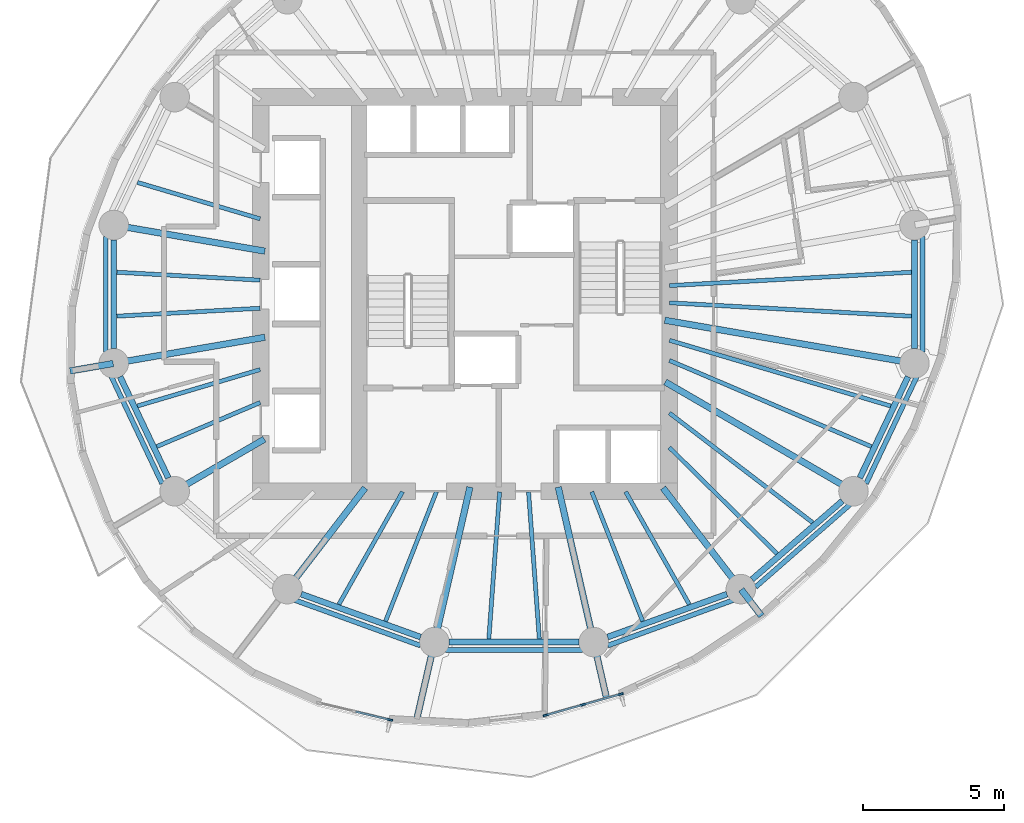
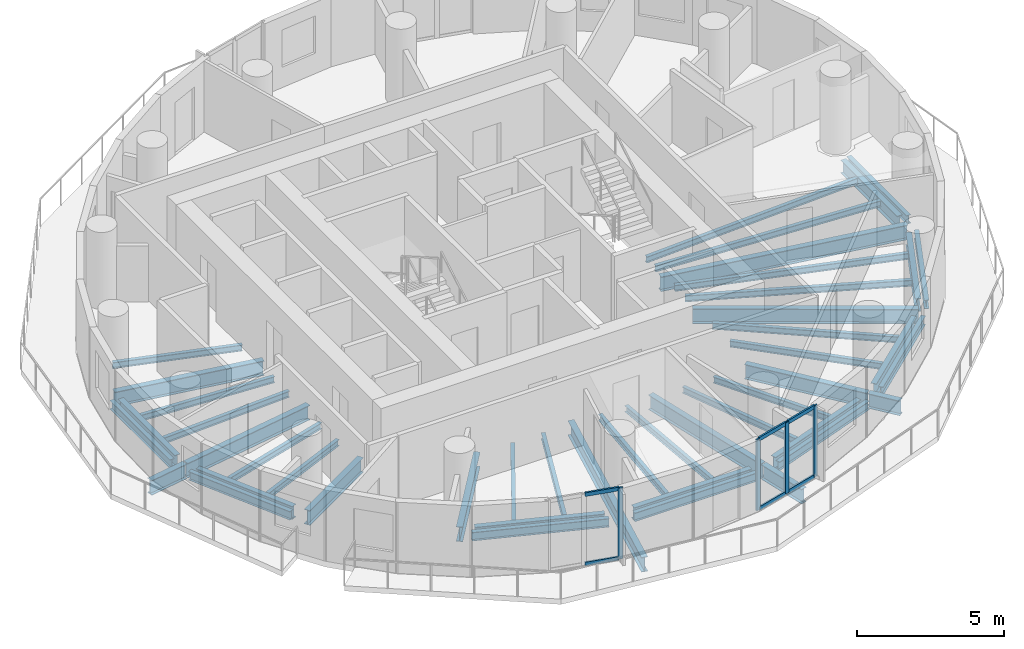
# One storey, part 2 of 13: 46 beams, 10 members, 2 elements without a shape of their own.
"""IFC4 building model written with IfcOpenShell, lengths in metres."""

from ifc_helpers import new_model, si_unit, direction, frame, origin, origin_2d, place, context, subcontext, project, spatial, rectangle, i_section, extrude, material, material_profile, profile_set, type_object, element, aggregate, save


model = new_model("IFC4")

# Units and contexts
model_context = context("Model", 3, precision=1e-05, world=origin(), true_north=direction((0.0, 1.0)))
body_context = subcontext(model_context, "Body", "Model", "MODEL_VIEW")
ifc_project = project(units=[si_unit("LENGTHUNIT", "METRE"), si_unit("AREAUNIT", "SQUARE_METRE"), si_unit("VOLUMEUNIT", "CUBIC_METRE"), si_unit("PLANEANGLEUNIT", "RADIAN"), si_unit("MASSUNIT", "GRAM", prefix="KILO")], contexts=[model_context])

# Site, building, storey
site_placement = place(None, origin())
site = spatial("IfcSite", under=ifc_project, at=site_placement, CompositionType="ELEMENT")
building_placement = place(site_placement, origin())
building = spatial("IfcBuilding", under=site, at=building_placement, Name="Veldorim Arch Residences", CompositionType="ELEMENT")
storey_placement = place(building_placement, frame((0.0, 0.0, 152.159912109375)))
storey = spatial("IfcBuildingStorey", under=building, at=storey_placement, Name="L45", CompositionType="ELEMENT", Elevation=152.159912109375)

# Beams
ifc_material_1 = material(Name="Steel S355", Category="steel")
ifc_material_profile_1 = material_profile(ifc_material_1, i_section(OverallWidth=0.2099609375, OverallDepth=0.53662109375, WebThickness=0.0107421875, FlangeThickness=0.017333984375, at=origin_2d()), Name="UB533x210x101")
ifc_profile_set_1 = profile_set([ifc_material_profile_1], Name="Steel S355")
beam_type_1 = type_object("IfcBeamType", Name="Structural Steel Beam UB533x210x101", PredefinedType="BEAM", material=ifc_profile_set_1)
beam_1_placement = place(storey_placement, frame((17.778564453125, 25.93310546875, -0.50830078125), z_axis=(0.0, -1.0, 0.0), x_axis=(1.0, 0.0, 0.0)))
element("IfcBeam", 1, at=beam_1_placement, inside=storey, type_object=beam_type_1, Name="L45 perimeter ring tie beam 08", PredefinedType="BEAM", context=body_context, shape_type="SweptSolid", body=[
    extrude(i_section(OverallWidth=0.2099609375, OverallDepth=0.53662109375, WebThickness=0.0107421875, FlangeThickness=0.017333984375, at=origin_2d()), origin(), (0.0, 0.0, 1.0), 3.8662109375),
])
beam_2_placement = place(storey_placement, frame((18.00439453125, 21.068115234375, -0.50830078125), z_axis=(0.43028577851, -0.902692721147, 0.0), x_axis=(0.902692721147, 0.43028577851, 0.0)))
element("IfcBeam", 2, at=beam_2_placement, inside=storey, type_object=beam_type_1, Name="L45 perimeter ring tie beam 09", PredefinedType="BEAM", context=body_context, shape_type="SweptSolid", body=[
    extrude(i_section(OverallWidth=0.2099609375, OverallDepth=0.53662109375, WebThickness=0.0107421875, FlangeThickness=0.017333984375, at=origin_2d()), origin(), (0.0, 0.0, 1.0), 3.98193359375),
])
beam_3_placement = place(storey_placement, frame((24.438232421875, 13.345703125, -0.50830078125), z_axis=(0.940899155006, -0.338686846673, 0.0), x_axis=(0.338686846673, 0.940899155006, 0.0)))
element("IfcBeam", 3, at=beam_3_placement, inside=storey, type_object=beam_type_1, Name="L45 perimeter ring tie beam 11", PredefinedType="BEAM", context=body_context, shape_type="SweptSolid", body=[
    extrude(i_section(OverallWidth=0.2099609375, OverallDepth=0.53662109375, WebThickness=0.0107421875, FlangeThickness=0.017333984375, at=origin_2d()), origin(), (0.0, 0.0, 1.0), 4.50537109375),
])
beam_4_placement = place(storey_placement, frame((29.6962890625, 11.64208984375, -0.50830078125), z_axis=(1.0, 0.0, 0.0), x_axis=(0.0, 1.0, 0.0)))
element("IfcBeam", 4, at=beam_4_placement, inside=storey, type_object=beam_type_1, Name="L45 perimeter ring tie beam 12", PredefinedType="BEAM", context=body_context, shape_type="SweptSolid", body=[
    extrude(i_section(OverallWidth=0.2099609375, OverallDepth=0.53662109375, WebThickness=0.0107421875, FlangeThickness=0.017333984375, at=origin_2d()), origin(), (0.0, 0.0, 1.0), 4.607421875),
])
beam_5_placement = place(storey_placement, frame((35.32275390625, 11.81982421875, -0.50830078125), z_axis=(0.940899155006, 0.338686846673, 0.0), x_axis=(-0.338686846673, 0.940899155006, 0.0)))
element("IfcBeam", 5, at=beam_5_placement, inside=storey, type_object=beam_type_1, Name="L45 perimeter ring tie beam 13", PredefinedType="BEAM", context=body_context, shape_type="SweptSolid", body=[
    extrude(i_section(OverallWidth=0.2099609375, OverallDepth=0.53662109375, WebThickness=0.0107421875, FlangeThickness=0.017333984375, at=origin_2d()), origin(), (0.0, 0.0, 1.0), 4.50537109375),
])
beam_6_placement = place(storey_placement, frame((40.4521484375, 13.867919921875, -0.50830078125), z_axis=(0.754810789581, 0.655942582802, 0.0), x_axis=(-0.655942582802, 0.754810789581, 0.0)))
element("IfcBeam", 6, at=beam_6_placement, inside=storey, type_object=beam_type_1, Name="L45 perimeter ring tie beam 14", PredefinedType="BEAM", context=body_context, shape_type="SweptSolid", body=[
    extrude(i_section(OverallWidth=0.2099609375, OverallDepth=0.53662109375, WebThickness=0.0107421875, FlangeThickness=0.017333984375, at=origin_2d()), origin(), (0.0, 0.0, 1.0), 4.249755859375),
])
beam_7_placement = place(storey_placement, frame((44.2822265625, 17.4736328125, -0.50830078125), z_axis=(0.43028577851, 0.902692721147, 0.0), x_axis=(-0.902692721147, 0.43028577851, 0.0)))
element("IfcBeam", 7, at=beam_7_placement, inside=storey, type_object=beam_type_1, Name="L45 perimeter ring tie beam 15", PredefinedType="BEAM", context=body_context, shape_type="SweptSolid", body=[
    extrude(i_section(OverallWidth=0.2099609375, OverallDepth=0.53662109375, WebThickness=0.0107421875, FlangeThickness=0.017333984375, at=origin_2d()), origin(), (0.0, 0.0, 1.0), 3.98193359375),
])
beam_8_placement = place(storey_placement, frame((46.221435546875, 22.06689453125, -0.50830078125), z_axis=(0.0, 1.0, 0.0), x_axis=(-1.0, 0.0, 0.0)))
element("IfcBeam", 8, at=beam_8_placement, inside=storey, type_object=beam_type_1, Name="L45 perimeter ring tie beam 16", PredefinedType="BEAM", context=body_context, shape_type="SweptSolid", body=[
    extrude(i_section(OverallWidth=0.2099609375, OverallDepth=0.53662109375, WebThickness=0.0107421875, FlangeThickness=0.017333984375, at=origin_2d()), origin(), (0.0, 0.0, 1.0), 3.8662109375),
])
ifc_material_2 = material(Name="Steel S355", Category="steel")
ifc_material_profile_2 = material_profile(ifc_material_2, i_section(OverallWidth=0.22900390625, OverallDepth=0.6123046875, WebThickness=0.011962890625, FlangeThickness=0.01953125, at=origin_2d()), Name="UB610x229x125")
ifc_profile_set_2 = profile_set([ifc_material_profile_2], Name="Steel S355")
beam_type_2 = type_object("IfcBeamType", Name="Structural Steel Beam UB610x229x125", PredefinedType="BEAM", material=ifc_profile_set_2)
for number, where, z_axis, x_axis, name in (
    (9, (23.147705078125, 25.530029296875, -0.5458984375), (-0.985390445301, 0.170310511449, 0.0), (-0.170310511449, -0.985390445301, 0.0), "L45 radial floor girder 08"),
    (10, (23.147705078125, 22.469970703125, -0.5458984375), (-0.985390445301, -0.170310511449, 0.0), (0.170310511449, -0.985390445301, 0.0), "L45 radial floor girder 09"),
):
    element("IfcBeam", number, at=place(storey_placement, frame(where, z_axis=z_axis, x_axis=x_axis)), inside=storey, type_object=beam_type_2, Name=name, PredefinedType="BEAM", context=body_context, shape_type="SweptSolid", body=[
        extrude(i_section(OverallWidth=0.22900390625, OverallDepth=0.6123046875, WebThickness=0.011962890625, FlangeThickness=0.01953125, at=origin_2d()), origin(), (0.0, 0.0, 1.0), 5.4287109375),
    ])
beam_9_placement = place(storey_placement, frame((17.7587890625, 21.53857421875, -0.5458984375), z_axis=(-0.985381977132, -0.170359499715, 0.0), x_axis=(0.170359499715, -0.985381977132, 0.0)))
element("IfcBeam", 11, at=beam_9_placement, inside=storey, type_object=beam_type_2, Name="L45 radial edge cantilever girder 09", PredefinedType="BEAM", context=body_context, shape_type="SweptSolid", body=[
    extrude(i_section(OverallWidth=0.22900390625, OverallDepth=0.6123046875, WebThickness=0.011962890625, FlangeThickness=0.01953125, at=origin_2d()), origin(), (0.0, 0.0, 1.0), 1.553466796875),
])
beam_10_placement = place(storey_placement, frame((23.129638671875, 18.849609375, -0.5458984375), z_axis=(-0.864794546612, -0.502125872815, 0.0), x_axis=(0.502125872815, -0.864794546612, 0.0)))
element("IfcBeam", 12, at=beam_10_placement, inside=storey, type_object=beam_type_2, Name="L45 radial floor girder 10", PredefinedType="BEAM", context=body_context, shape_type="SweptSolid", body=[
    extrude(i_section(OverallWidth=0.22900390625, OverallDepth=0.6123046875, WebThickness=0.011962890625, FlangeThickness=0.01953125, at=origin_2d()), origin(), (0.0, 0.0, 1.0), 3.6640625),
])
beam_11_placement = place(storey_placement, frame((26.708740234375, 17.118896484375, -0.5458984375), z_axis=(-0.609559199361, -0.792740551804, 0.0), x_axis=(0.792740551804, -0.609559199361, 0.0)))
element("IfcBeam", 13, at=beam_11_placement, inside=storey, type_object=beam_type_2, Name="L45 radial floor girder 11", PredefinedType="BEAM", context=body_context, shape_type="SweptSolid", body=[
    extrude(i_section(OverallWidth=0.22900390625, OverallDepth=0.6123046875, WebThickness=0.011962890625, FlangeThickness=0.01953125, at=origin_2d()), origin(), (0.0, 0.0, 1.0), 4.515380859375),
])
beam_12_placement = place(storey_placement, frame((30.43115234375, 17.146240234375, -0.5458984375), z_axis=(-0.223119342184, -0.974791136164, 0.0), x_axis=(0.974791136164, -0.223119342184, 0.0)))
element("IfcBeam", 14, at=beam_12_placement, inside=storey, type_object=beam_type_2, Name="L45 radial floor girder 12", PredefinedType="BEAM", context=body_context, shape_type="SweptSolid", body=[
    extrude(i_section(OverallWidth=0.22900390625, OverallDepth=0.6123046875, WebThickness=0.011962890625, FlangeThickness=0.01953125, at=origin_2d()), origin(), (0.0, 0.0, 1.0), 5.62646484375),
])
beam_13_placement = place(storey_placement, frame((29.166748046875, 11.62255859375, -0.5458984375), z_axis=(-0.223165160946, -0.974780647602, 0.0), x_axis=(0.974780647602, -0.223165160946, 0.0)))
element("IfcBeam", 15, at=beam_13_placement, inside=storey, type_object=beam_type_2, Name="L45 radial edge cantilever girder 12", PredefinedType="BEAM", context=body_context, shape_type="SweptSolid", body=[
    extrude(i_section(OverallWidth=0.22900390625, OverallDepth=0.6123046875, WebThickness=0.011962890625, FlangeThickness=0.01953125, at=origin_2d()), origin(), (0.0, 0.0, 1.0), 2.863037109375),
])
beam_14_placement = place(storey_placement, frame((33.56884765625, 17.146240234375, -0.5458984375), z_axis=(0.223119342184, -0.974791136164, 0.0), x_axis=(0.974791136164, 0.223119342184, 0.0)))
element("IfcBeam", 16, at=beam_14_placement, inside=storey, type_object=beam_type_2, Name="L45 radial floor girder 13", PredefinedType="BEAM", context=body_context, shape_type="SweptSolid", body=[
    extrude(i_section(OverallWidth=0.22900390625, OverallDepth=0.6123046875, WebThickness=0.011962890625, FlangeThickness=0.01953125, at=origin_2d()), origin(), (0.0, 0.0, 1.0), 5.62646484375),
])
beam_15_placement = place(storey_placement, frame((34.833251953125, 11.62255859375, -0.5458984375), z_axis=(0.223121447398, -0.9747906543, 0.0), x_axis=(0.9747906543, 0.223121447398, 0.0)))
element("IfcBeam", 17, at=beam_15_placement, inside=storey, type_object=beam_type_2, Name="L45 radial edge cantilever girder 13", PredefinedType="BEAM", context=body_context, shape_type="SweptSolid", body=[
    extrude(i_section(OverallWidth=0.22900390625, OverallDepth=0.6123046875, WebThickness=0.011962890625, FlangeThickness=0.01953125, at=origin_2d()), origin(), (0.0, 0.0, 1.0), 2.01123046875),
])
beam_16_placement = place(storey_placement, frame((37.291259765625, 17.118896484375, -0.5458984375), z_axis=(0.609559199361, -0.792740551804, 0.0), x_axis=(0.792740551804, 0.609559199361, 0.0)))
element("IfcBeam", 18, at=beam_16_placement, inside=storey, type_object=beam_type_2, Name="L45 radial floor girder 14", PredefinedType="BEAM", context=body_context, shape_type="SweptSolid", body=[
    extrude(i_section(OverallWidth=0.22900390625, OverallDepth=0.6123046875, WebThickness=0.011962890625, FlangeThickness=0.01953125, at=origin_2d()), origin(), (0.0, 0.0, 1.0), 4.515380859375),
])
beam_17_placement = place(storey_placement, frame((40.068115234375, 13.507568359375, -0.5458984375), z_axis=(0.609460700879, -0.792816280158, 0.0), x_axis=(0.792816280158, 0.609460700879, 0.0)))
element("IfcBeam", 19, at=beam_17_placement, inside=storey, type_object=beam_type_2, Name="L45 radial edge cantilever girder 14", PredefinedType="BEAM", context=body_context, shape_type="SweptSolid", body=[
    extrude(i_section(OverallWidth=0.22900390625, OverallDepth=0.6123046875, WebThickness=0.011962890625, FlangeThickness=0.01953125, at=origin_2d()), origin(), (0.0, 0.0, 1.0), 1.1796875),
])
beam_18_placement = place(storey_placement, frame((37.370361328125, 20.8818359375, -0.5458984375), z_axis=(0.864793381443, -0.502127879542, 0.0), x_axis=(0.502127879542, 0.864793381443, 0.0)))
element("IfcBeam", 20, at=beam_18_placement, inside=storey, type_object=beam_type_2, Name="L45 radial floor girder 15", PredefinedType="BEAM", context=body_context, shape_type="SweptSolid", body=[
    extrude(i_section(OverallWidth=0.22900390625, OverallDepth=0.6123046875, WebThickness=0.011962890625, FlangeThickness=0.01953125, at=origin_2d()), origin(), (0.0, 0.0, 1.0), 7.71142578125),
])
beam_19_placement = place(storey_placement, frame((37.352294921875, 23.074951171875, -0.5458984375), z_axis=(0.985389398766, -0.170316566427, 0.0), x_axis=(0.170316566427, 0.985389398766, 0.0)))
element("IfcBeam", 21, at=beam_19_placement, inside=storey, type_object=beam_type_2, Name="L45 radial floor girder 16", PredefinedType="BEAM", context=body_context, shape_type="SweptSolid", body=[
    extrude(i_section(OverallWidth=0.22900390625, OverallDepth=0.6123046875, WebThickness=0.011962890625, FlangeThickness=0.01953125, at=origin_2d()), origin(), (0.0, 0.0, 1.0), 8.98046875),
])
ifc_material_3 = material(Name="Steel S355", Category="steel")
ifc_material_profile_3 = material_profile(ifc_material_3, i_section(OverallWidth=0.146484375, OverallDepth=0.256103515625, WebThickness=0.00634765625, FlangeThickness=0.010986328125, at=origin_2d()), Name="UB254x146x37")
ifc_profile_set_3 = profile_set([ifc_material_profile_3], Name="Steel S355")
beam_type_3 = type_object("IfcBeamType", Name="Structural Steel Joist UB254x146x37", PredefinedType="JOIST", material=ifc_profile_set_3)
beam_20_placement = place(storey_placement, frame((22.980712890625, 26.677001953125, -0.367919921875), z_axis=(-0.95868163277, 0.284481154014, 0.0), x_axis=(-0.284481154014, -0.95868163277, 0.0)))
element("IfcBeam", 22, at=beam_20_placement, inside=storey, type_object=beam_type_3, Name="L45 secondary radial floor joist 07-2", PredefinedType="JOIST", context=body_context, shape_type="SweptSolid", body=[
    extrude(i_section(OverallWidth=0.146484375, OverallDepth=0.256103515625, WebThickness=0.00634765625, FlangeThickness=0.010986328125, at=origin_2d()), origin(), (0.0, 0.0, 1.0), 4.54931640625),
])
for number, where, z_axis, x_axis, name in (
    (23, (22.97998046875, 24.498779296875, -0.367919921875), (-0.998472994317, 0.055242009562, 0.0), (-0.055242009562, -0.998472994317, 0.0), "L45 secondary radial floor joist 08-1"),
    (24, (22.97998046875, 23.501220703125, -0.367919921875), (-0.998472994317, -0.055242009562, 0.0), (0.055242009562, -0.998472994317, 0.0), "L45 secondary radial floor joist 08-2"),
):
    element("IfcBeam", number, at=place(storey_placement, frame(where, z_axis=z_axis, x_axis=x_axis)), inside=storey, type_object=beam_type_3, Name=name, PredefinedType="JOIST", context=body_context, shape_type="SweptSolid", body=[
        extrude(i_section(OverallWidth=0.146484375, OverallDepth=0.256103515625, WebThickness=0.00634765625, FlangeThickness=0.010986328125, at=origin_2d()), origin(), (0.0, 0.0, 1.0), 5.10009765625),
    ])
beam_21_placement = place(storey_placement, frame((22.980712890625, 21.322998046875, -0.367919921875), z_axis=(-0.95868163277, -0.284481154014, 0.0), x_axis=(0.284481154014, -0.95868163277, 0.0)))
element("IfcBeam", 25, at=beam_21_placement, inside=storey, type_object=beam_type_3, Name="L45 secondary radial floor joist 09-1", PredefinedType="JOIST", context=body_context, shape_type="SweptSolid", body=[
    extrude(i_section(OverallWidth=0.146484375, OverallDepth=0.256103515625, WebThickness=0.00634765625, FlangeThickness=0.010986328125, at=origin_2d()), origin(), (0.0, 0.0, 1.0), 4.54931640625),
])
beam_22_placement = place(storey_placement, frame((22.981689453125, 20.15380859375, -0.367919921875), z_axis=(-0.919823469329, -0.392332493265, 0.0), x_axis=(0.392332493265, -0.919823469329, 0.0)))
element("IfcBeam", 26, at=beam_22_placement, inside=storey, type_object=beam_type_3, Name="L45 secondary radial floor joist 09-2", PredefinedType="JOIST", context=body_context, shape_type="SweptSolid", body=[
    extrude(i_section(OverallWidth=0.146484375, OverallDepth=0.256103515625, WebThickness=0.00634765625, FlangeThickness=0.010986328125, at=origin_2d()), origin(), (0.0, 0.0, 1.0), 3.993896484375),
])
beam_23_placement = place(storey_placement, frame((28.03662109375, 16.982666015625, -0.367919921875), z_axis=(-0.491815801586, -0.870699269157, 0.0), x_axis=(0.870699269157, -0.491815801586, 0.0)))
element("IfcBeam", 27, at=beam_23_placement, inside=storey, type_object=beam_type_3, Name="L45 secondary radial floor joist 11-1", PredefinedType="JOIST", context=body_context, shape_type="SweptSolid", body=[
    extrude(i_section(OverallWidth=0.146484375, OverallDepth=0.256103515625, WebThickness=0.00634765625, FlangeThickness=0.010986328125, at=origin_2d()), origin(), (0.0, 0.0, 1.0), 4.59814453125),
])
beam_24_placement = place(storey_placement, frame((29.2412109375, 16.9814453125, -0.367919921875), z_axis=(-0.365777738491, -0.930702232739, 0.0), x_axis=(0.930702232739, -0.365777738491, 0.0)))
element("IfcBeam", 28, at=beam_24_placement, inside=storey, type_object=beam_type_3, Name="L45 secondary radial floor joist 11-2", PredefinedType="JOIST", context=body_context, shape_type="SweptSolid", body=[
    extrude(i_section(OverallWidth=0.146484375, OverallDepth=0.256103515625, WebThickness=0.00634765625, FlangeThickness=0.010986328125, at=origin_2d()), origin(), (0.0, 0.0, 1.0), 4.9404296875),
])
for number, where, z_axis, x_axis, name in (
    (29, (31.48583984375, 16.97998046875, -0.367919921875), (-0.073060364166, -0.997327520521, 0.0), (0.997327520521, -0.073060364166, 0.0), "L45 secondary radial floor joist 12-1"),
    (30, (32.51416015625, 16.97998046875, -0.367919921875), (0.073060364166, -0.997327520521, 0.0), (0.997327520521, 0.073060364166, 0.0), "L45 secondary radial floor joist 12-2"),
):
    element("IfcBeam", number, at=place(storey_placement, frame(where, z_axis=z_axis, x_axis=x_axis)), inside=storey, type_object=beam_type_3, Name=name, PredefinedType="JOIST", context=body_context, shape_type="SweptSolid", body=[
        extrude(i_section(OverallWidth=0.146484375, OverallDepth=0.256103515625, WebThickness=0.00634765625, FlangeThickness=0.010986328125, at=origin_2d()), origin(), (0.0, 0.0, 1.0), 5.242919921875),
    ])
beam_25_placement = place(storey_placement, frame((34.7587890625, 16.9814453125, -0.367919921875), z_axis=(0.365777738491, -0.930702232739, 0.0), x_axis=(0.930702232739, 0.365777738491, 0.0)))
element("IfcBeam", 31, at=beam_25_placement, inside=storey, type_object=beam_type_3, Name="L45 secondary radial floor joist 13-1", PredefinedType="JOIST", context=body_context, shape_type="SweptSolid", body=[
    extrude(i_section(OverallWidth=0.146484375, OverallDepth=0.256103515625, WebThickness=0.00634765625, FlangeThickness=0.010986328125, at=origin_2d()), origin(), (0.0, 0.0, 1.0), 4.9404296875),
])
beam_26_placement = place(storey_placement, frame((35.96337890625, 16.982666015625, -0.367919921875), z_axis=(0.491815801586, -0.870699269157, 0.0), x_axis=(0.870699269157, 0.491815801586, 0.0)))
element("IfcBeam", 32, at=beam_26_placement, inside=storey, type_object=beam_type_3, Name="L45 secondary radial floor joist 13-2", PredefinedType="JOIST", context=body_context, shape_type="SweptSolid", body=[
    extrude(i_section(OverallWidth=0.146484375, OverallDepth=0.256103515625, WebThickness=0.00634765625, FlangeThickness=0.010986328125, at=origin_2d()), origin(), (0.0, 0.0, 1.0), 4.59814453125),
])
beam_27_placement = place(storey_placement, frame((37.51416015625, 18.556884765625, -0.367919921875), z_axis=(0.711703457158, -0.702480027523, 0.0), x_axis=(0.702480027523, 0.711703457158, 0.0)))
element("IfcBeam", 33, at=beam_27_placement, inside=storey, type_object=beam_type_3, Name="L45 secondary radial floor joist 14-1", PredefinedType="JOIST", context=body_context, shape_type="SweptSolid", body=[
    extrude(i_section(OverallWidth=0.146484375, OverallDepth=0.256103515625, WebThickness=0.00634765625, FlangeThickness=0.010986328125, at=origin_2d()), origin(), (0.0, 0.0, 1.0), 5.373291015625),
])
beam_28_placement = place(storey_placement, frame((37.515869140625, 19.780517578125, -0.367919921875), z_axis=(0.794267053144, -0.607568801281, 0.0), x_axis=(0.607568801281, 0.794267053144, 0.0)))
element("IfcBeam", 34, at=beam_28_placement, inside=storey, type_object=beam_type_3, Name="L45 secondary radial floor joist 14-2", PredefinedType="JOIST", context=body_context, shape_type="SweptSolid", body=[
    extrude(i_section(OverallWidth=0.146484375, OverallDepth=0.256103515625, WebThickness=0.00634765625, FlangeThickness=0.010986328125, at=origin_2d()), origin(), (0.0, 0.0, 1.0), 6.412841796875),
])
beam_29_placement = place(storey_placement, frame((37.518310546875, 21.646484375, -0.367919921875), z_axis=(0.919831795434, -0.39231297214, 0.0), x_axis=(0.39231297214, 0.919831795434, 0.0)))
element("IfcBeam", 35, at=beam_29_placement, inside=storey, type_object=beam_type_3, Name="L45 secondary radial floor joist 15-1", PredefinedType="JOIST", context=body_context, shape_type="SweptSolid", body=[
    extrude(i_section(OverallWidth=0.146484375, OverallDepth=0.256103515625, WebThickness=0.00634765625, FlangeThickness=0.010986328125, at=origin_2d()), origin(), (0.0, 0.0, 1.0), 7.798828125),
])
beam_30_placement = place(storey_placement, frame((37.519287109375, 22.36181640625, -0.367919921875), z_axis=(0.958674276305, -0.284505943614, 0.0), x_axis=(0.284505943614, 0.958674276305, 0.0)))
element("IfcBeam", 36, at=beam_30_placement, inside=storey, type_object=beam_type_3, Name="L45 secondary radial floor joist 15-2", PredefinedType="JOIST", context=body_context, shape_type="SweptSolid", body=[
    extrude(i_section(OverallWidth=0.146484375, OverallDepth=0.256103515625, WebThickness=0.00634765625, FlangeThickness=0.010986328125, at=origin_2d()), origin(), (0.0, 0.0, 1.0), 8.2001953125),
])
for number, where, z_axis, x_axis, name in (
    (37, (37.52001953125, 23.694580078125, -0.367919921875), (0.998474809964, -0.055209182821, 0.0), (0.055209182821, 0.998474809964, 0.0), "L45 secondary radial floor joist 16-1"),
    (38, (37.52001953125, 24.305419921875, -0.367919921875), (0.998474809964, 0.055209182821, 0.0), (-0.055209182821, 0.998474809964, 0.0), "L45 secondary radial floor joist 16-2"),
):
    element("IfcBeam", number, at=place(storey_placement, frame(where, z_axis=z_axis, x_axis=x_axis)), inside=storey, type_object=beam_type_3, Name=name, PredefinedType="JOIST", context=body_context, shape_type="SweptSolid", body=[
        extrude(i_section(OverallWidth=0.146484375, OverallDepth=0.256103515625, WebThickness=0.00634765625, FlangeThickness=0.010986328125, at=origin_2d()), origin(), (0.0, 0.0, 1.0), 8.60546875),
    ])
ifc_material_4 = material(Name="Steel S355", Category="steel")
ifc_material_profile_4 = material_profile(ifc_material_4, i_section(OverallWidth=0.172119140625, OverallDepth=0.35791015625, WebThickness=0.008056640625, FlangeThickness=0.012939453125, at=origin_2d()), Name="UB356x171x57")
ifc_profile_set_4 = profile_set([ifc_material_profile_4], Name="Steel S355")
beam_type_4 = type_object("IfcBeamType", Name="Structural Steel Spandrel UB356x171x57", PredefinedType="SPANDREL", material=ifc_profile_set_4)
beam_31_placement = place(storey_placement, frame((17.494140625, 26.04541015625, -0.43896484375), z_axis=(0.0, -1.0, 0.0), x_axis=(1.0, 0.0, 0.0)))
element("IfcBeam", 39, at=beam_31_placement, inside=storey, type_object=beam_type_4, Name="L45 perimeter chord spandrel beam 08", PredefinedType="SPANDREL", context=body_context, shape_type="SweptSolid", body=[
    extrude(i_section(OverallWidth=0.172119140625, OverallDepth=0.35791015625, WebThickness=0.008056640625, FlangeThickness=0.012939453125, at=origin_2d()), origin(), (0.0, 0.0, 1.0), 4.0908203125),
])
beam_32_placement = place(storey_placement, frame((17.692138671875, 21.0751953125, -0.43896484375), z_axis=(0.428579957662, -0.903503857153, 0.0), x_axis=(0.903503857153, 0.428579957662, 0.0)))
element("IfcBeam", 40, at=beam_32_placement, inside=storey, type_object=beam_type_4, Name="L45 perimeter chord spandrel beam 09", PredefinedType="SPANDREL", context=body_context, shape_type="SweptSolid", body=[
    extrude(i_section(OverallWidth=0.172119140625, OverallDepth=0.35791015625, WebThickness=0.008056640625, FlangeThickness=0.012939453125, at=origin_2d()), origin(), (0.0, 0.0, 1.0), 4.209228515625),
])
beam_33_placement = place(storey_placement, frame((24.20263671875, 13.13720703125, -0.43896484375), z_axis=(0.940212553113, -0.340588248429, 0.0), x_axis=(0.340588248429, 0.940212553113, 0.0)))
element("IfcBeam", 41, at=beam_33_placement, inside=storey, type_object=beam_type_4, Name="L45 perimeter chord spandrel beam 11", PredefinedType="SPANDREL", context=body_context, shape_type="SweptSolid", body=[
    extrude(i_section(OverallWidth=0.172119140625, OverallDepth=0.35791015625, WebThickness=0.008056640625, FlangeThickness=0.012939453125, at=origin_2d()), origin(), (0.0, 0.0, 1.0), 4.75390625),
])
beam_34_placement = place(storey_placement, frame((29.56884765625, 11.360595703125, -0.43896484375), z_axis=(1.0, 0.0, 0.0), x_axis=(0.0, 1.0, 0.0)))
element("IfcBeam", 42, at=beam_34_placement, inside=storey, type_object=beam_type_4, Name="L45 perimeter chord spandrel beam 12", PredefinedType="SPANDREL", context=body_context, shape_type="SweptSolid", body=[
    extrude(i_section(OverallWidth=0.172119140625, OverallDepth=0.35791015625, WebThickness=0.008056640625, FlangeThickness=0.012939453125, at=origin_2d()), origin(), (0.0, 0.0, 1.0), 4.8623046875),
])
beam_35_placement = place(storey_placement, frame((35.32763671875, 11.51806640625, -0.43896484375), z_axis=(0.940212553113, 0.340588248429, 0.0), x_axis=(-0.340588248429, 0.940212553113, 0.0)))
element("IfcBeam", 43, at=beam_35_placement, inside=storey, type_object=beam_type_4, Name="L45 perimeter chord spandrel beam 13", PredefinedType="SPANDREL", context=body_context, shape_type="SweptSolid", body=[
    extrude(i_section(OverallWidth=0.172119140625, OverallDepth=0.35791015625, WebThickness=0.008056640625, FlangeThickness=0.012939453125, at=origin_2d()), origin(), (0.0, 0.0, 1.0), 4.75390625),
])
beam_36_placement = place(storey_placement, frame((40.57958984375, 13.5986328125, -0.43896484375), z_axis=(0.753014748982, 0.658003638148, 0.0), x_axis=(-0.658003638148, 0.753014748982, 0.0)))
element("IfcBeam", 44, at=beam_36_placement, inside=storey, type_object=beam_type_4, Name="L45 perimeter chord spandrel beam 14", PredefinedType="SPANDREL", context=body_context, shape_type="SweptSolid", body=[
    extrude(i_section(OverallWidth=0.172119140625, OverallDepth=0.35791015625, WebThickness=0.008056640625, FlangeThickness=0.012939453125, at=origin_2d()), origin(), (0.0, 0.0, 1.0), 4.486572265625),
])
beam_37_placement = place(storey_placement, frame((44.50390625, 17.272216796875, -0.43896484375), z_axis=(0.428579957662, 0.903503857153, 0.0), x_axis=(-0.903503857153, 0.428579957662, 0.0)))
element("IfcBeam", 45, at=beam_37_placement, inside=storey, type_object=beam_type_4, Name="L45 perimeter chord spandrel beam 15", PredefinedType="SPANDREL", context=body_context, shape_type="SweptSolid", body=[
    extrude(i_section(OverallWidth=0.172119140625, OverallDepth=0.35791015625, WebThickness=0.008056640625, FlangeThickness=0.012939453125, at=origin_2d()), origin(), (0.0, 0.0, 1.0), 4.209228515625),
])
beam_38_placement = place(storey_placement, frame((46.505859375, 21.95458984375, -0.43896484375), z_axis=(0.0, 1.0, 0.0), x_axis=(-1.0, 0.0, 0.0)))
element("IfcBeam", 46, at=beam_38_placement, inside=storey, type_object=beam_type_4, Name="L45 perimeter chord spandrel beam 16", PredefinedType="SPANDREL", context=body_context, shape_type="SweptSolid", body=[
    extrude(i_section(OverallWidth=0.172119140625, OverallDepth=0.35791015625, WebThickness=0.008056640625, FlangeThickness=0.012939453125, at=origin_2d()), origin(), (0.0, 0.0, 1.0), 4.0908203125),
])

# Curtain wall, member
ifc_material_5 = material(Name="Aluminium", Category="aluminium")
curtain_wall_type = type_object("IfcCurtainWallType", Name="Zone 3 High-Wind Unitised Curtain Wall", PredefinedType="NOTDEFINED", material=ifc_material_5)
curtain_wall_1_placement = place(storey_placement, origin())
curtain_wall_1 = element("IfcCurtainWall", 47, at=curtain_wall_1_placement, inside=storey, type_object=curtain_wall_type, Name="L45 unitised curtain wall bay 22", PredefinedType="NOTDEFINED")
ifc_material_6 = material(Name="Aluminium", Category="aluminium")
ifc_material_profile_5 = material_profile(ifc_material_6, rectangle(XDim=0.070068359375, YDim=0.179931640625, at=origin_2d()), Name="ALU_MUL_70x180")
ifc_profile_set_5 = profile_set([ifc_material_profile_5], Name="Aluminium")
member_type_1 = type_object("IfcMemberType", Name="Zone 3 High-Wind Unitised Curtain Wall Mullion 70x180", PredefinedType="MULLION", material=ifc_profile_set_5)
member_1_placement = place(storey_placement, frame((27.5986328125, 8.880126953125, 0.0), z_axis=(0.0, 0.0, 1.0), x_axis=(-0.230956858022, -0.972963992002, 0.0)))
member_1 = element("IfcMember", 48, at=member_1_placement, type_object=member_type_1, Name="CW-Z3 mullion 1", PredefinedType="MULLION", context=body_context, shape_type="SweptSolid", body=[
    extrude(rectangle(XDim=0.070068359375, YDim=0.179931640625, at=origin_2d()), origin(), (0.0, 0.0, 1.0), 2.960205078125),
])

# Curtain wall, members
curtain_wall_2_placement = place(storey_placement, origin())
curtain_wall_2 = element("IfcCurtainWall", 49, at=curtain_wall_2_placement, inside=storey, type_object=curtain_wall_type, Name="L45 unitised curtain wall bay 25", PredefinedType="NOTDEFINED")
member_2_placement = place(storey_placement, frame((35.79150390625, 9.795166015625, 0.0), z_axis=(0.0, 0.0, 1.0), x_axis=(0.271100567037, -0.962551028545, 0.0)))
member_2 = element("IfcMember", 50, at=member_2_placement, type_object=member_type_1, Name="CW-Z3 mullion 1", PredefinedType="MULLION", context=body_context, shape_type="SweptSolid", body=[
    extrude(rectangle(XDim=0.070068359375, YDim=0.179931640625, at=origin_2d()), origin(), (0.0, 0.0, 1.0), 2.960205078125),
])
member_3_placement = place(storey_placement, frame((34.455078125, 9.418701171875, 0.0), z_axis=(0.0, 0.0, 1.0), x_axis=(0.271100567037, -0.962551028545, 0.0)))
member_3 = element("IfcMember", 51, at=member_3_placement, type_object=member_type_1, Name="CW-Z3 mullion 2", PredefinedType="MULLION", context=body_context, shape_type="SweptSolid", body=[
    extrude(rectangle(XDim=0.070068359375, YDim=0.179931640625, at=origin_2d()), origin(), (0.0, 0.0, 1.0), 2.960205078125),
])
member_4_placement = place(storey_placement, frame((33.11865234375, 9.04248046875, 0.0), z_axis=(0.0, 0.0, 1.0), x_axis=(0.271100567037, -0.962551028545, 0.0)))
member_4 = element("IfcMember", 52, at=member_4_placement, type_object=member_type_1, Name="CW-Z3 mullion 3", PredefinedType="MULLION", context=body_context, shape_type="SweptSolid", body=[
    extrude(rectangle(XDim=0.070068359375, YDim=0.179931640625, at=origin_2d()), origin(), (0.0, 0.0, 1.0), 2.960205078125),
])

# Member
ifc_material_7 = material(Name="Aluminium", Category="aluminium")
ifc_material_profile_6 = material_profile(ifc_material_7, rectangle(XDim=0.070068359375, YDim=0.155029296875, at=origin_2d()), Name="ALU_TRN_70x155")
ifc_profile_set_6 = profile_set([ifc_material_profile_6], Name="Aluminium")
member_type_2 = type_object("IfcMemberType", Name="Zone 3 High-Wind Unitised Curtain Wall Transom 70x155", PredefinedType="USERDEFINED", material=ifc_profile_set_6)
member_5_placement = place(storey_placement, frame((27.564697265625, 8.88818359375, 0.03515625), z_axis=(-0.972955574019, 0.230992318023, 0.0), x_axis=(-0.230992318023, -0.972955574019, 0.0)))
member_5 = element("IfcMember", 53, at=member_5_placement, type_object=member_type_2, Name="CW-Z3 transom 1.1", ObjectType="TRANSOM", PredefinedType="USERDEFINED", context=body_context, shape_type="SweptSolid", body=[
    extrude(rectangle(XDim=0.070068359375, YDim=0.155029296875, at=origin_2d()), origin(), (0.0, 0.0, 1.0), 1.22607421875),
])

member_6_placement = place(storey_placement, frame((27.564697265625, 8.88818359375, 2.925048828125), z_axis=(-0.972955574019, 0.230992318023, 0.0), x_axis=(-0.230992318023, -0.972955574019, 0.0)))
member_6 = element("IfcMember", 54, at=member_6_placement, type_object=member_type_2, Name="CW-Z3 transom 1.2", ObjectType="TRANSOM", PredefinedType="USERDEFINED", context=body_context, shape_type="SweptSolid", body=[
    extrude(rectangle(XDim=0.070068359375, YDim=0.155029296875, at=origin_2d()), origin(), (0.0, 0.0, 1.0), 1.22607421875),
])

aggregate(curtain_wall_1, [member_1, member_5, member_6])

member_7_placement = place(storey_placement, frame((35.7578125, 9.78564453125, 0.03515625), z_axis=(-0.962551331846, -0.271099490154, 0.0), x_axis=(0.271099490154, -0.962551331846, 0.0)))
member_7 = element("IfcMember", 55, at=member_7_placement, type_object=member_type_2, Name="CW-Z3 transom 1.1", ObjectType="TRANSOM", PredefinedType="USERDEFINED", context=body_context, shape_type="SweptSolid", body=[
    extrude(rectangle(XDim=0.070068359375, YDim=0.155029296875, at=origin_2d()), origin(), (0.0, 0.0, 1.0), 1.318359375),
])

member_8_placement = place(storey_placement, frame((35.7578125, 9.78564453125, 2.925048828125), z_axis=(-0.962551331846, -0.271099490154, 0.0), x_axis=(0.271099490154, -0.962551331846, 0.0)))
member_8 = element("IfcMember", 56, at=member_8_placement, type_object=member_type_2, Name="CW-Z3 transom 1.2", ObjectType="TRANSOM", PredefinedType="USERDEFINED", context=body_context, shape_type="SweptSolid", body=[
    extrude(rectangle(XDim=0.070068359375, YDim=0.155029296875, at=origin_2d()), origin(), (0.0, 0.0, 1.0), 1.318359375),
])

member_9_placement = place(storey_placement, frame((34.42138671875, 9.409423828125, 0.03515625), z_axis=(-0.962502997504, -0.271271044891, 0.0), x_axis=(0.271271044891, -0.962502997504, 0.0)))
member_9 = element("IfcMember", 57, at=member_9_placement, type_object=member_type_2, Name="CW-Z3 transom 2.1", ObjectType="TRANSOM", PredefinedType="USERDEFINED", context=body_context, shape_type="SweptSolid", body=[
    extrude(rectangle(XDim=0.070068359375, YDim=0.155029296875, at=origin_2d()), origin(), (0.0, 0.0, 1.0), 1.318603515625),
])

member_10_placement = place(storey_placement, frame((34.42138671875, 9.409423828125, 2.925048828125), z_axis=(-0.962502997504, -0.271271044891, 0.0), x_axis=(0.271271044891, -0.962502997504, 0.0)))
member_10 = element("IfcMember", 58, at=member_10_placement, type_object=member_type_2, Name="CW-Z3 transom 2.2", ObjectType="TRANSOM", PredefinedType="USERDEFINED", context=body_context, shape_type="SweptSolid", body=[
    extrude(rectangle(XDim=0.070068359375, YDim=0.155029296875, at=origin_2d()), origin(), (0.0, 0.0, 1.0), 1.318603515625),
])

aggregate(curtain_wall_2, [member_2, member_3, member_4, member_7, member_8, member_9, member_10])

save(model, "model.ifc")
